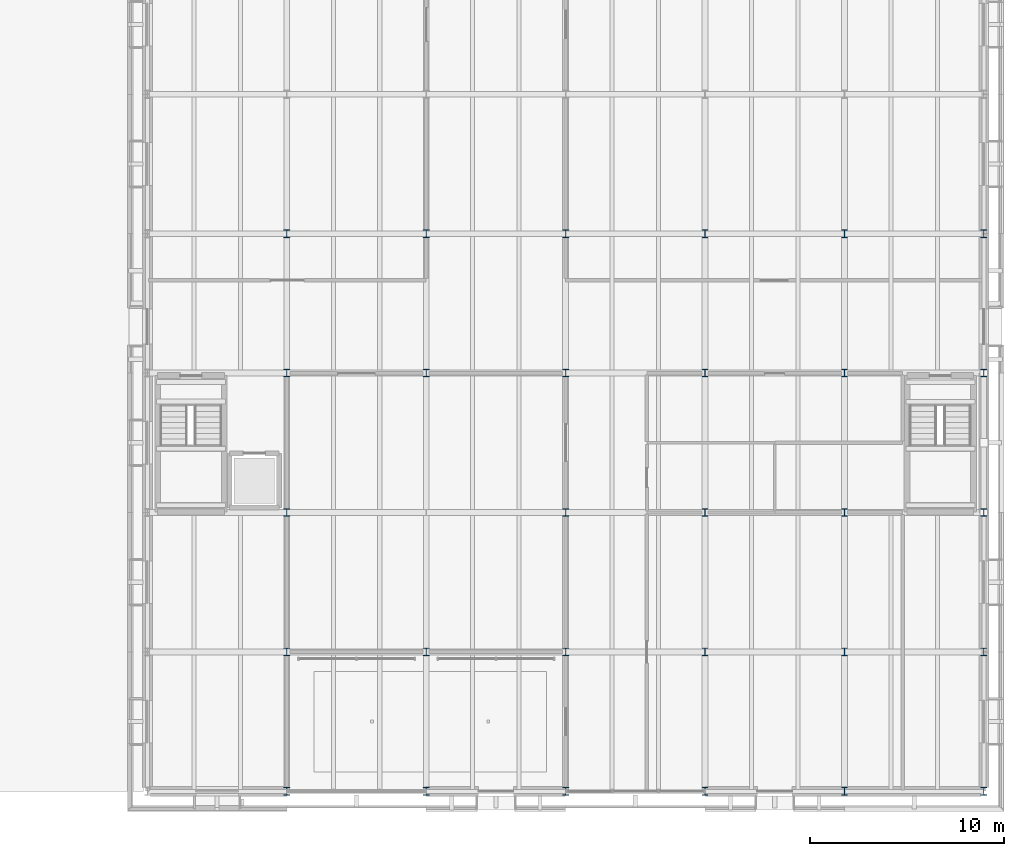
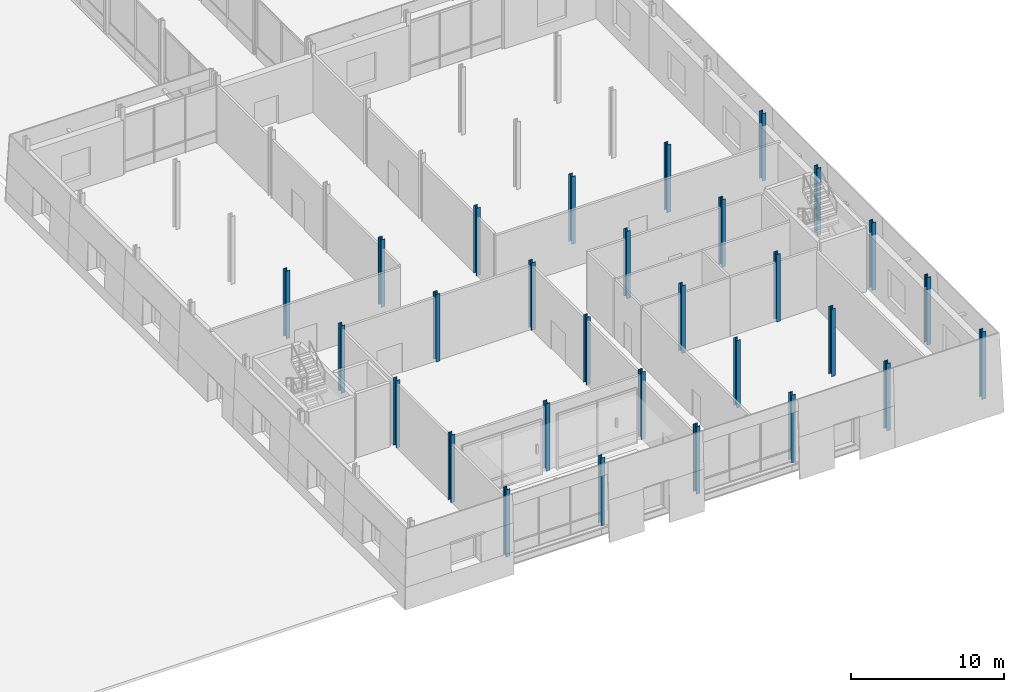
# One storey, part 17 of 120: 29 columns.
"""IFC4 building model written with IfcOpenShell, lengths in metres."""

from ifc_helpers import new_model, si_unit, direction, frame, origin, origin_2d, place, context, subcontext, project, spatial, i_section, extrude, material, material_profile, profile_set, type_object, element, save


model = new_model("IFC4")

# Units and contexts
model_context = context("Model", 3, precision=1e-05, world=origin(), true_north=direction((0.0, 1.0)))
body_context = subcontext(model_context, "Body", "Model", "MODEL_VIEW")
ifc_project = project(units=[si_unit("LENGTHUNIT", "METRE"), si_unit("AREAUNIT", "SQUARE_METRE"), si_unit("VOLUMEUNIT", "CUBIC_METRE"), si_unit("PLANEANGLEUNIT", "RADIAN"), si_unit("MASSUNIT", "GRAM", prefix="KILO")], contexts=[model_context])

# Site, building, storey
site_placement = place(None, origin())
site = spatial("IfcSite", under=ifc_project, at=site_placement, CompositionType="ELEMENT")
building_placement = place(site_placement, origin())
building = spatial("IfcBuilding", under=site, at=building_placement, Name="Narikvali Park Central Library", CompositionType="ELEMENT")
storey_placement = place(building_placement, origin())
storey = spatial("IfcBuildingStorey", under=building, at=storey_placement, Name="L00", CompositionType="ELEMENT", Elevation=0.0)

# Columns
ifc_material = material(Name="Steel S355", Category="steel")
ifc_material_profile = material_profile(ifc_material, i_section(OverallWidth=0.300048828125, OverallDepth=0.39990234375, WebThickness=0.013427734375, FlangeThickness=0.02392578125, FilletRadius=0.027099609375, at=origin_2d()), Name="HEB 400")
ifc_profile_set = profile_set([ifc_material_profile], Name="Steel S355")
column_type = type_object("IfcColumnType", Name="Steel Column HEB400", PredefinedType="COLUMN", material=ifc_profile_set)
for number, where, z_axis, x_axis, name in (
    (1, (129.60009765625, 0.0, 0.0), (0.0, 0.0, 1.0), (1.0, 0.0, 0.0), "V6 L00 Column (129.6,0.0)"),
    (2, (129.60009765625, 7.199951171875, 0.0), (0.0, 0.0, 1.0), (1.0, 0.0, 0.0), "V6 L00 Column (129.6,7.2)"),
    (3, (129.60009765625, 14.39990234375, 0.0), (0.0, 0.0, 1.0), (1.0, 0.0, 0.0), "V6 L00 Column (129.6,14.4)"),
    (4, (129.60009765625, 21.60009765625, 0.0), (0.0, 0.0, 1.0), (1.0, 0.0, 0.0), "V6 L00 Column (129.6,21.6)"),
    (5, (129.60009765625, 28.800048828125, 0.0), (0.0, 0.0, 1.0), (1.0, 0.0, 0.0), "V6 L00 Column (129.6,28.8)"),
    (6, (136.800048828125, 0.0, 0.0), (0.0, 0.0, 1.0), (1.0, 0.0, 0.0), "V6 L00 Column (136.8,0.0)"),
    (7, (136.800048828125, 7.199951171875, 0.0), (0.0, 0.0, 1.0), (1.0, 0.0, 0.0), "V6 L00 Column (136.8,7.2)"),
    (8, (136.800048828125, 21.60009765625, 0.0), (0.0, 0.0, 1.0), (1.0, 0.0, 0.0), "V6 L00 Column (136.8,21.6)"),
    (9, (136.800048828125, 28.800048828125, 0.0), (0.0, 0.0, 1.0), (1.0, 0.0, 0.0), "V6 L00 Column (136.8,28.8)"),
    (10, (144.0, 0.0, 0.0), (0.0, 0.0, 1.0), (1.0, 0.0, 0.0), "V6 L00 Column (144.0,0.0)"),
    (11, (144.0, 7.199951171875, 0.0), (0.0, 0.0, 1.0), (1.0, 0.0, 0.0), "V6 L00 Column (144.0,7.2)"),
    (12, (144.0, 14.39990234375, 0.0), (0.0, 0.0, 1.0), (1.0, 0.0, 0.0), "V6 L00 Column (144.0,14.4)"),
    (13, (144.0, 21.60009765625, 0.0), (0.0, 0.0, 1.0), (1.0, 0.0, 0.0), "V6 L00 Column (144.0,21.6)"),
    (14, (144.0, 28.800048828125, 0.0), (0.0, 0.0, 1.0), (1.0, 0.0, 0.0), "V6 L00 Column (144.0,28.8)"),
    (15, (151.199951171875, 0.0, 0.0), (0.0, 0.0, 1.0), (1.0, 0.0, 0.0), "V6 L00 Column (151.2,0.0)"),
    (16, (151.199951171875, 7.199951171875, 0.0), (0.0, 0.0, 1.0), (1.0, 0.0, 0.0), "V6 L00 Column (151.2,7.2)"),
    (17, (151.199951171875, 14.39990234375, 0.0), (0.0, 0.0, 1.0), (1.0, 0.0, 0.0), "V6 L00 Column (151.2,14.4)"),
    (18, (151.199951171875, 21.60009765625, 0.0), (0.0, 0.0, 1.0), (1.0, 0.0, 0.0), "V6 L00 Column (151.2,21.6)"),
    (19, (151.199951171875, 28.800048828125, 0.0), (0.0, 0.0, 1.0), (1.0, 0.0, 0.0), "V6 L00 Column (151.2,28.8)"),
    (20, (158.39990234375, 0.0, 0.0), (0.0, 0.0, 1.0), (1.0, 0.0, 0.0), "V6 L00 Column (158.4,0.0)"),
    (21, (158.39990234375, 7.199951171875, 0.0), (0.0, 0.0, 1.0), (1.0, 0.0, 0.0), "V6 L00 Column (158.4,7.2)"),
    (22, (158.39990234375, 14.39990234375, 0.0), (0.0, 0.0, 1.0), (1.0, 0.0, 0.0), "V6 L00 Column (158.4,14.4)"),
    (23, (158.39990234375, 21.60009765625, 0.0), (0.0, 0.0, 1.0), (1.0, 0.0, 0.0), "V6 L00 Column (158.4,21.6)"),
    (24, (158.39990234375, 28.800048828125, 0.0), (0.0, 0.0, 1.0), (1.0, 0.0, 0.0), "V6 L00 Column (158.4,28.8)"),
    (25, (165.60009765625, 0.0, 0.0), (0.0, 0.0, 1.0), (1.0, 0.0, 0.0), "V6 L00 Column (165.6,0.0)"),
    (26, (165.60009765625, 7.199951171875, 0.0), (0.0, 0.0, 1.0), (1.0, 0.0, 0.0), "V6 L00 Column (165.6,7.2)"),
    (27, (165.60009765625, 14.39990234375, 0.0), (0.0, 0.0, 1.0), (1.0, 0.0, 0.0), "V6 L00 Column (165.6,14.4)"),
    (28, (165.60009765625, 21.60009765625, 0.0), (0.0, 0.0, 1.0), (1.0, 0.0, 0.0), "V6 L00 Column (165.6,21.6)"),
    (29, (165.60009765625, 28.800048828125, 0.0), (0.0, 0.0, 1.0), (1.0, 0.0, 0.0), "V6 L00 Column (165.6,28.8)"),
):
    element("IfcColumn", number, at=place(storey_placement, frame(where, z_axis=z_axis, x_axis=x_axis)), inside=storey, type_object=column_type, Name=name, PredefinedType="COLUMN", context=body_context, shape_type="SweptSolid", body=[
        extrude(i_section(OverallWidth=0.300048828125, OverallDepth=0.39990234375, WebThickness=0.013427734375, FlangeThickness=0.02392578125, FilletRadius=0.027099609375, at=origin_2d()), origin(), (0.0, 0.0, 1.0), 5.39990234375),
    ])

save(model, "model.ifc")
